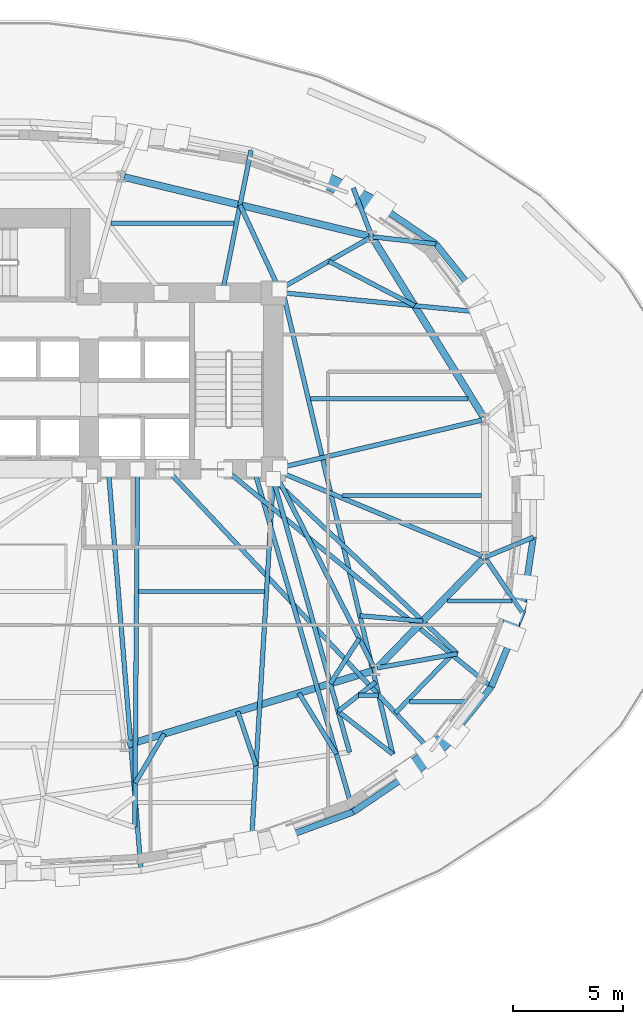
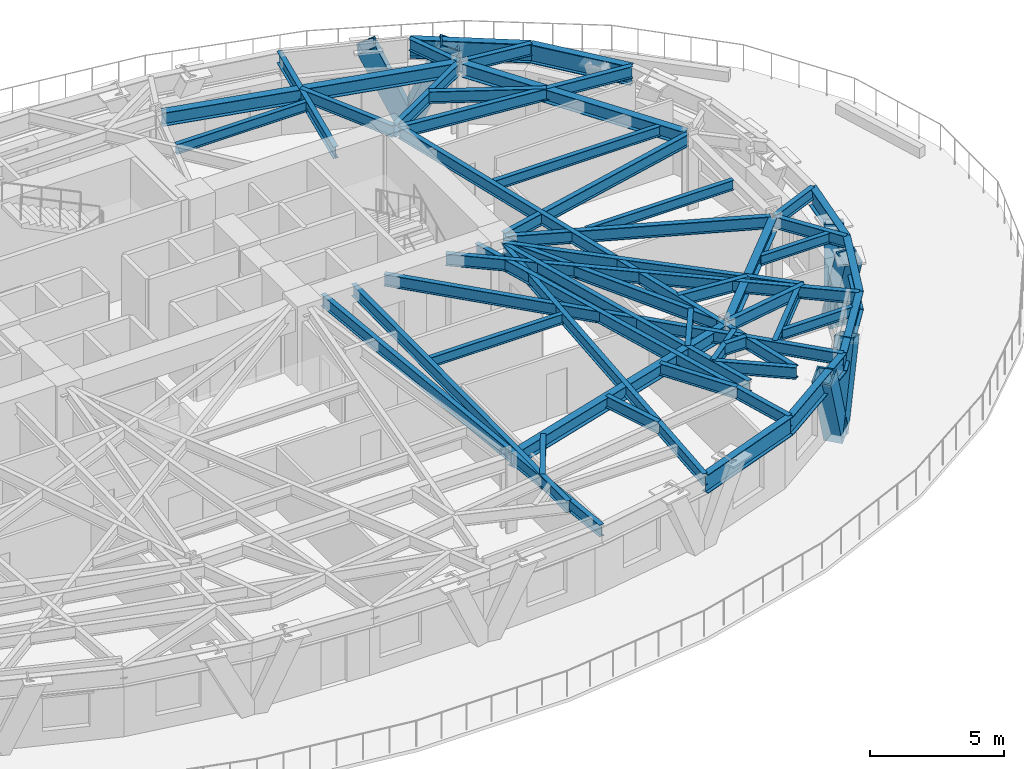
# One storey, part 3 of 14: 48 beams, 6 members.
"""IFC4 building model written with IfcOpenShell, lengths in metres."""

from ifc_helpers import new_model, si_unit, direction, frame, origin, origin_2d, place, context, subcontext, project, spatial, hollow_rectangle, i_section, extrude, material, material_profile, profile_set, type_object, element, save


model = new_model("IFC4")

# Units and contexts
model_context = context("Model", 3, precision=1e-05, world=origin(), true_north=direction((0.0, 1.0)))
body_context = subcontext(model_context, "Body", "Model", "MODEL_VIEW")
ifc_project = project(units=[si_unit("LENGTHUNIT", "METRE"), si_unit("AREAUNIT", "SQUARE_METRE"), si_unit("VOLUMEUNIT", "CUBIC_METRE"), si_unit("PLANEANGLEUNIT", "RADIAN"), si_unit("MASSUNIT", "GRAM", prefix="KILO")], contexts=[model_context])

# Site, building, storey
site_placement = place(None, origin())
site = spatial("IfcSite", under=ifc_project, at=site_placement, CompositionType="ELEMENT")
building_placement = place(site_placement, origin())
building = spatial("IfcBuilding", under=site, at=building_placement, Name="Keldmark Tower", CompositionType="ELEMENT")
storey_placement = place(building_placement, frame((0.0, 0.0, 27.0)))
storey = spatial("IfcBuildingStorey", under=building, at=storey_placement, Name="L06", CompositionType="ELEMENT", Elevation=27.0)

# Beams
ifc_material_1 = material(Name="Steel ASTM A992 Grade 50", Category="steel")
ifc_material_profile_1 = material_profile(ifc_material_1, i_section(OverallWidth=0.19091796875, OverallDepth=0.45703125, WebThickness=0.009033203125, FlangeThickness=0.014404296875, at=origin_2d()), Name="W18X50")
ifc_profile_set_1 = profile_set([ifc_material_profile_1], Name="Steel ASTM A992 Grade 50")
beam_type_1 = type_object("IfcBeamType", Name="Composite Floor Joist W18X50", PredefinedType="JOIST", material=ifc_profile_set_1)
beam_1_placement = place(storey_placement, frame((19.810791015625, -9.199951171875, 3.17138671875), z_axis=(1.0, 0.0, 0.0), x_axis=(0.0, 1.0, 0.0)))
element("IfcBeam", 1, at=beam_1_placement, inside=storey, type_object=beam_type_1, Name="L06 Composite Floor Joist J07", PredefinedType="JOIST", context=body_context, shape_type="SweptSolid", body=[
    extrude(i_section(OverallWidth=0.19091796875, OverallDepth=0.45703125, WebThickness=0.009033203125, FlangeThickness=0.014404296875, at=origin_2d()), origin(), (0.0, 0.0, 1.0), 3.014892578125),
])
beam_2_placement = place(storey_placement, frame((7.461181640625, -4.179931640625, 3.17138671875), z_axis=(1.0, 0.0, 0.0), x_axis=(0.0, 1.0, 0.0)))
element("IfcBeam", 2, at=beam_2_placement, inside=storey, type_object=beam_type_1, Name="L06 Composite Floor Joist J11", PredefinedType="JOIST", context=body_context, shape_type="SweptSolid", body=[
    extrude(i_section(OverallWidth=0.19091796875, OverallDepth=0.45703125, WebThickness=0.009033203125, FlangeThickness=0.014404296875, at=origin_2d()), origin(), (0.0, 0.0, 1.0), 5.734619140625),
])
beam_3_placement = place(storey_placement, frame((21.537109375, -4.60009765625, 3.17138671875), z_axis=(1.0, 0.0, 0.0), x_axis=(0.0, 1.0, 0.0)))
element("IfcBeam", 3, at=beam_3_placement, inside=storey, type_object=beam_type_1, Name="L06 Composite Floor Joist J12", PredefinedType="JOIST", context=body_context, shape_type="SweptSolid", body=[
    extrude(i_section(OverallWidth=0.19091796875, OverallDepth=0.45703125, WebThickness=0.009033203125, FlangeThickness=0.014404296875, at=origin_2d()), origin(), (0.0, 0.0, 1.0), 2.94189453125),
])
beam_4_placement = place(storey_placement, frame((16.75, 0.199951171875, 3.17138671875), z_axis=(1.0, 0.0, 0.0), x_axis=(0.0, 1.0, 0.0)))
element("IfcBeam", 4, at=beam_4_placement, inside=storey, type_object=beam_type_1, Name="L06 Composite Floor Joist J13", PredefinedType="JOIST", context=body_context, shape_type="SweptSolid", body=[
    extrude(i_section(OverallWidth=0.19091796875, OverallDepth=0.45703125, WebThickness=0.009033203125, FlangeThickness=0.014404296875, at=origin_2d()), origin(), (0.0, 0.0, 1.0), 6.35107421875),
])
beam_5_placement = place(storey_placement, frame((15.29638671875, 4.6201171875, 3.17138671875), z_axis=(1.0, 0.0, 0.0), x_axis=(0.0, 1.0, 0.0)))
element("IfcBeam", 5, at=beam_5_placement, inside=storey, type_object=beam_type_1, Name="L06 Composite Floor Joist J15", PredefinedType="JOIST", context=body_context, shape_type="SweptSolid", body=[
    extrude(i_section(OverallWidth=0.19091796875, OverallDepth=0.45703125, WebThickness=0.009033203125, FlangeThickness=0.014404296875, at=origin_2d()), origin(), (0.0, 0.0, 1.0), 7.193115234375),
])
beam_6_placement = place(storey_placement, frame((6.1875, 12.6201171875, 3.17138671875), z_axis=(1.0, 0.0, 0.0), x_axis=(0.0, 1.0, 0.0)))
element("IfcBeam", 6, at=beam_6_placement, inside=storey, type_object=beam_type_1, Name="L06 Composite Floor Joist J17", PredefinedType="JOIST", context=body_context, shape_type="SweptSolid", body=[
    extrude(i_section(OverallWidth=0.19091796875, OverallDepth=0.45703125, WebThickness=0.009033203125, FlangeThickness=0.014404296875, at=origin_2d()), origin(), (0.0, 0.0, 1.0), 5.63134765625),
])

# Members
ifc_material_2 = material(Name="Steel ASTM A572 Grade 50", Category="steel")
ifc_material_profile_2 = material_profile(ifc_material_2, hollow_rectangle(XDim=0.75, YDim=0.75, WallThickness=0.06494140625, at=origin_2d()), Name="BOX750X750X65")
ifc_profile_set_2 = profile_set([ifc_material_profile_2], Name="Steel ASTM A572 Grade 50")
member_type = type_object("IfcMemberType", Name="Diagrid Lower Brace BOX750X750X65", PredefinedType="BRACE", material=ifc_profile_set_2)
member_1_placement = place(storey_placement, frame((17.050048828125, 14.063720703125, -0.35009765625), z_axis=(0.355655807646, -0.182297490589, 0.916666008649), x_axis=(0.456138130633, 0.889908987359, 0.0)))
element("IfcMember", 7, at=member_1_placement, inside=storey, type_object=member_type, Name="L06 Perimeter Diagrid Brace 02B", PredefinedType="BRACE", context=body_context, shape_type="SweptSolid", body=[
    extrude(hollow_rectangle(XDim=0.75, YDim=0.75, WallThickness=0.06494140625, at=origin_2d()), origin(), (0.0, 0.0, 1.0), 3.960205078125),
])
member_2_placement = place(storey_placement, frame((17.058349609375, 14.055419921875, -0.35009765625), z_axis=(-0.354673875279, 0.176842962883, 0.918113832089), x_axis=(-0.44621618645, -0.894925200757, 0.0)))
element("IfcMember", 8, at=member_2_placement, inside=storey, type_object=member_type, Name="L06 Perimeter Diagrid Brace 03A", PredefinedType="BRACE", context=body_context, shape_type="SweptSolid", body=[
    extrude(hollow_rectangle(XDim=0.75, YDim=0.75, WallThickness=0.06494140625, at=origin_2d()), origin(), (0.0, 0.0, 1.0), 3.953857421875),
])
member_3_placement = place(storey_placement, frame((20.7939453125, -11.526611328125, -0.35009765625), z_axis=(-0.274361271263, -0.244967654328, 0.929901468524), x_axis=(0.66601914824, -0.74593464471, 0.0)))
element("IfcMember", 9, at=member_3_placement, inside=storey, type_object=member_type, Name="L06 Perimeter Diagrid Brace 14B", PredefinedType="BRACE", context=body_context, shape_type="SweptSolid", body=[
    extrude(hollow_rectangle(XDim=0.75, YDim=0.75, WallThickness=0.06494140625, at=origin_2d()), origin(), (0.0, 0.0, 1.0), 3.90380859375),
])
member_4_placement = place(storey_placement, frame((20.78564453125, -11.534912109375, -0.35009765625), z_axis=(0.264353610602, 0.24339109732, 0.933208413114), x_axis=(-0.677336484751, 0.735673355794, 0.0)))
element("IfcMember", 10, at=member_4_placement, inside=storey, type_object=member_type, Name="L06 Perimeter Diagrid Brace 15A", PredefinedType="BRACE", context=body_context, shape_type="SweptSolid", body=[
    extrude(hollow_rectangle(XDim=0.75, YDim=0.75, WallThickness=0.06494140625, at=origin_2d()), origin(), (0.0, 0.0, 1.0), 3.889892578125),
])
member_5_placement = place(storey_placement, frame((24.4736328125, -5.008056640625, -0.35009765625), z_axis=(-0.01160129594, -0.318653178034, 0.947800380914), x_axis=(0.999337913048, -0.03638317667, 0.0)))
element("IfcMember", 11, at=member_5_placement, inside=storey, type_object=member_type, Name="L06 Perimeter Diagrid Brace 15B", PredefinedType="BRACE", context=body_context, shape_type="SweptSolid", body=[
    extrude(hollow_rectangle(XDim=0.75, YDim=0.75, WallThickness=0.06494140625, at=origin_2d()), origin(), (0.0, 0.0, 1.0), 3.830078125),
])
member_6_placement = place(storey_placement, frame((24.468994140625, -5.018798828125, -0.35009765625), z_axis=(0.155048243769, 0.275449904671, 0.948729356625), x_axis=(-0.871429943821, 0.490519982276, 0.0)))
element("IfcMember", 12, at=member_6_placement, inside=storey, type_object=member_type, Name="L06 Perimeter Diagrid Brace 16A", PredefinedType="BRACE", context=body_context, shape_type="SweptSolid", body=[
    extrude(hollow_rectangle(XDim=0.75, YDim=0.75, WallThickness=0.06494140625, at=origin_2d()), origin(), (0.0, 0.0, 1.0), 3.826416015625),
])

# Beams
ifc_material_3 = material(Name="Steel ASTM A992 Grade 50", Category="steel")
ifc_material_profile_3 = material_profile(ifc_material_3, i_section(OverallWidth=0.323974609375, OverallDepth=0.611083984375, WebThickness=0.0126953125, FlangeThickness=0.01904296875, at=origin_2d()), Name="W24X104")
ifc_profile_set_3 = profile_set([ifc_material_profile_3], Name="Steel ASTM A992 Grade 50")
beam_type_2 = type_object("IfcBeamType", Name="Primary Floor Girder W24X104", PredefinedType="BEAM", material=ifc_profile_set_3)
beam_7_placement = place(storey_placement, frame((23.180419921875, 3.796142578125, 3.094482421875), z_axis=(-0.526318405849, 0.850287560573, 0.0), x_axis=(-0.850287560573, -0.526318405849, 0.0)))
element("IfcBeam", 13, at=beam_7_placement, inside=storey, type_object=beam_type_2, Name="L06 Floor Ring Girder FG-R01", PredefinedType="BEAM", context=body_context, shape_type="SweptSolid", body=[
    extrude(i_section(OverallWidth=0.323974609375, OverallDepth=0.611083984375, WebThickness=0.0126953125, FlangeThickness=0.01904296875, at=origin_2d()), origin(), (0.0, 0.0, 1.0), 9.51708984375),
])
beam_8_placement = place(storey_placement, frame((17.961669921875, 12.040283203125, 3.094482421875), z_axis=(-0.972218707757, 0.2340743136, 0.0), x_axis=(-0.2340743136, -0.972218707757, 0.0)))
element("IfcBeam", 14, at=beam_8_placement, inside=storey, type_object=beam_type_2, Name="L06 Floor Ring Girder FG-R02", PredefinedType="BEAM", context=body_context, shape_type="SweptSolid", body=[
    extrude(i_section(OverallWidth=0.323974609375, OverallDepth=0.611083984375, WebThickness=0.0126953125, FlangeThickness=0.01904296875, at=origin_2d()), origin(), (0.0, 0.0, 1.0), 11.479248046875),
])
beam_9_placement = place(storey_placement, frame((6.9560546875, -11.165283203125, 3.094482421875), z_axis=(0.957346071406, 0.2889437654, 0.0), x_axis=(-0.2889437654, 0.957346071406, 0.0)))
element("IfcBeam", 15, at=beam_9_placement, inside=storey, type_object=beam_type_2, Name="L06 Floor Ring Girder FG-R10", PredefinedType="BEAM", context=body_context, shape_type="SweptSolid", body=[
    extrude(i_section(OverallWidth=0.323974609375, OverallDepth=0.611083984375, WebThickness=0.0126953125, FlangeThickness=0.01904296875, at=origin_2d()), origin(), (0.0, 0.0, 1.0), 11.66015625),
])
beam_10_placement = place(storey_placement, frame((18.350341796875, -7.6552734375, 3.094482421875), z_axis=(0.697210382268, 0.716866572563, 0.0), x_axis=(-0.716866572563, 0.697210382268, 0.0)))
element("IfcBeam", 16, at=beam_10_placement, inside=storey, type_object=beam_type_2, Name="L06 Floor Ring Girder FG-R11", PredefinedType="BEAM", context=body_context, shape_type="SweptSolid", body=[
    extrude(i_section(OverallWidth=0.323974609375, OverallDepth=0.611083984375, WebThickness=0.0126953125, FlangeThickness=0.01904296875, at=origin_2d()), origin(), (0.0, 0.0, 1.0), 6.893310546875),
])
ifc_material_4 = material(Name="Steel ASTM A992 Grade 50", Category="steel")
ifc_material_profile_4 = material_profile(ifc_material_4, i_section(OverallWidth=0.2099609375, OverallDepth=0.537109375, WebThickness=0.010986328125, FlangeThickness=0.017333984375, at=origin_2d()), Name="W21X68")
ifc_profile_set_4 = profile_set([ifc_material_profile_4], Name="Steel ASTM A992 Grade 50")
beam_type_3 = type_object("IfcBeamType", Name="Radial Tie Girder W21X68", PredefinedType="BEAM", material=ifc_profile_set_4)
beam_11_placement = place(storey_placement, frame((17.522705078125, -6.319091796875, 3.131591796875), z_axis=(-0.539720655924, -0.841844174161, 0.0), x_axis=(0.841844174161, -0.539720655924, 0.0)))
element("IfcBeam", 17, at=beam_11_placement, inside=storey, type_object=beam_type_3, Name="L06 Framing Pin Header PH-003", PredefinedType="BEAM", context=body_context, shape_type="SweptSolid", body=[
    extrude(i_section(OverallWidth=0.2099609375, OverallDepth=0.537109375, WebThickness=0.010986328125, FlangeThickness=0.017333984375, at=origin_2d()), origin(), (0.0, 0.0, 1.0), 2.4404296875),
])
beam_12_placement = place(storey_placement, frame((13.60009765625, 0.949951171875, 3.131591796875), z_axis=(0.269145999523, -0.963099387883, 0.0), x_axis=(0.963099387883, 0.269145999523, 0.0)))
element("IfcBeam", 18, at=beam_12_placement, inside=storey, type_object=beam_type_3, Name="L06 Sub-Ring Step Girder STP1-M11", PredefinedType="BEAM", context=body_context, shape_type="SweptSolid", body=[
    extrude(i_section(OverallWidth=0.2099609375, OverallDepth=0.537109375, WebThickness=0.010986328125, FlangeThickness=0.017333984375, at=origin_2d()), origin(), (0.0, 0.0, 1.0), 12.931640625),
])
beam_13_placement = place(storey_placement, frame((16.132080078125, 10.8896484375, 3.131591796875), z_axis=(0.887985113306, -0.459872198059, 0.0), x_axis=(0.459872198059, 0.887985113306, 0.0)))
element("IfcBeam", 19, at=beam_13_placement, inside=storey, type_object=beam_type_3, Name="L06 Framing Pin Header PH-006", PredefinedType="BEAM", context=body_context, shape_type="SweptSolid", body=[
    extrude(i_section(OverallWidth=0.2099609375, OverallDepth=0.537109375, WebThickness=0.010986328125, FlangeThickness=0.017333984375, at=origin_2d()), origin(), (0.0, 0.0, 1.0), 4.40478515625),
])
beam_14_placement = place(storey_placement, frame((14.050048828125, 9.449951171875, 3.131591796875), z_axis=(0.995254165929, -0.097309532935, 0.0), x_axis=(0.097309532935, 0.995254165929, 0.0)))
element("IfcBeam", 20, at=beam_14_placement, inside=storey, type_object=beam_type_3, Name="L06 Perimeter Radial Tie Girder RT-03", PredefinedType="BEAM", context=body_context, shape_type="SweptSolid", body=[
    extrude(i_section(OverallWidth=0.2099609375, OverallDepth=0.537109375, WebThickness=0.010986328125, FlangeThickness=0.017333984375, at=origin_2d()), origin(), (0.0, 0.0, 1.0), 9.541259765625),
])
beam_15_placement = place(storey_placement, frame((18.09765625, 12.00732421875, 3.131591796875), z_axis=(0.993725660726, -0.111845032138, 0.0), x_axis=(0.111845032138, 0.993725660726, 0.0)))
element("IfcBeam", 21, at=beam_15_placement, inside=storey, type_object=beam_type_3, Name="L06 Perimeter Column Bracket RT-04", PredefinedType="BEAM", context=body_context, shape_type="SweptSolid", body=[
    extrude(i_section(OverallWidth=0.2099609375, OverallDepth=0.537109375, WebThickness=0.010986328125, FlangeThickness=0.017333984375, at=origin_2d()), origin(), (0.0, 0.0, 1.0), 2.938232421875),
])
beam_16_placement = place(storey_placement, frame((18.09765625, 12.00732421875, 3.131591796875), z_axis=(-0.356805751095, 0.934178599619, 0.0), x_axis=(-0.934178599619, -0.356805751095, 0.0)))
element("IfcBeam", 22, at=beam_16_placement, inside=storey, type_object=beam_type_3, Name="L06 Perimeter Column Bracket RT-05", PredefinedType="BEAM", context=body_context, shape_type="SweptSolid", body=[
    extrude(i_section(OverallWidth=0.2099609375, OverallDepth=0.537109375, WebThickness=0.010986328125, FlangeThickness=0.017333984375, at=origin_2d()), origin(), (0.0, 0.0, 1.0), 2.3798828125),
])
beam_17_placement = place(storey_placement, frame((13.878173828125, 9.608154296875, 3.131591796875), z_axis=(-0.422494952086, 0.906365277061, 0.0), x_axis=(-0.906365277061, -0.422494952086, 0.0)))
element("IfcBeam", 23, at=beam_17_placement, inside=storey, type_object=beam_type_3, Name="L06 Framing Pin Header PH-007", PredefinedType="BEAM", context=body_context, shape_type="SweptSolid", body=[
    extrude(i_section(OverallWidth=0.2099609375, OverallDepth=0.537109375, WebThickness=0.010986328125, FlangeThickness=0.017333984375, at=origin_2d()), origin(), (0.0, 0.0, 1.0), 4.244384765625),
])
beam_18_placement = place(storey_placement, frame((11.278564453125, 9.449951171875, 3.131591796875), z_axis=(0.197363641719, 0.980330348876, 0.0), x_axis=(-0.980330348876, 0.197363641719, 0.0)))
element("IfcBeam", 24, at=beam_18_placement, inside=storey, type_object=beam_type_3, Name="L06 Perimeter Radial Tie Girder RT-06", PredefinedType="BEAM", context=body_context, shape_type="SweptSolid", body=[
    extrude(i_section(OverallWidth=0.2099609375, OverallDepth=0.537109375, WebThickness=0.010986328125, FlangeThickness=0.017333984375, at=origin_2d()), origin(), (0.0, 0.0, 1.0), 6.623046875),
])
beam_19_placement = place(storey_placement, frame((8.630615234375, -10.659912109375, 3.131591796875), z_axis=(-0.508311407589, -0.861173335, 0.0), x_axis=(0.861173335, -0.508311407589, 0.0)))
element("IfcBeam", 25, at=beam_19_placement, inside=storey, type_object=beam_type_3, Name="L06 Framing Pin Header PH-019", PredefinedType="BEAM", context=body_context, shape_type="SweptSolid", body=[
    extrude(i_section(OverallWidth=0.2099609375, OverallDepth=0.537109375, WebThickness=0.010986328125, FlangeThickness=0.017333984375, at=origin_2d()), origin(), (0.0, 0.0, 1.0), 2.6181640625),
])
beam_20_placement = place(storey_placement, frame((7.406982421875, 1.39990234375, 3.131591796875), z_axis=(-0.007477209168, -0.999972045281, 0.0), x_axis=(0.999972045281, -0.007477209168, 0.0)))
element("IfcBeam", 26, at=beam_20_placement, inside=storey, type_object=beam_type_3, Name="L06 Intermediate Radial Step Girder RT-26M", PredefinedType="BEAM", context=body_context, shape_type="SweptSolid", body=[
    extrude(i_section(OverallWidth=0.2099609375, OverallDepth=0.537109375, WebThickness=0.010986328125, FlangeThickness=0.017333984375, at=origin_2d()), origin(), (0.0, 0.0, 1.0), 16.32568359375),
])
beam_21_placement = place(storey_placement, frame((6.07861328125, 1.39990234375, 3.131591796875), z_axis=(0.081182674788, -0.996699239146, 0.0), x_axis=(0.996699239146, 0.081182674788, 0.0)))
element("IfcBeam", 27, at=beam_21_placement, inside=storey, type_object=beam_type_3, Name="L06 Perimeter Radial Tie Girder RT-26", PredefinedType="BEAM", context=body_context, shape_type="SweptSolid", body=[
    extrude(i_section(OverallWidth=0.2099609375, OverallDepth=0.537109375, WebThickness=0.010986328125, FlangeThickness=0.017333984375, at=origin_2d()), origin(), (0.0, 0.0, 1.0), 18.353515625),
])
beam_22_placement = place(storey_placement, frame((11.979248046875, -9.649169921875, 3.131591796875), z_axis=(0.320549652964, -0.947231713988, 0.0), x_axis=(0.947231713988, 0.320549652964, 0.0)))
element("IfcBeam", 28, at=beam_22_placement, inside=storey, type_object=beam_type_3, Name="L06 Framing Pin Header PH-021", PredefinedType="BEAM", context=body_context, shape_type="SweptSolid", body=[
    extrude(i_section(OverallWidth=0.2099609375, OverallDepth=0.537109375, WebThickness=0.010986328125, FlangeThickness=0.017333984375, at=origin_2d()), origin(), (0.0, 0.0, 1.0), 2.60791015625),
])
beam_23_placement = place(storey_placement, frame((13.60009765625, 0.949951171875, 3.131591796875), z_axis=(-0.059942314959, -0.998201842754, 0.0), x_axis=(0.998201842754, -0.059942314959, 0.0)))
element("IfcBeam", 29, at=beam_23_placement, inside=storey, type_object=beam_type_3, Name="L06 Perimeter Radial Tie Girder RT-27", PredefinedType="BEAM", context=body_context, shape_type="SweptSolid", body=[
    extrude(i_section(OverallWidth=0.2099609375, OverallDepth=0.537109375, WebThickness=0.010986328125, FlangeThickness=0.017333984375, at=origin_2d()), origin(), (0.0, 0.0, 1.0), 16.923095703125),
])
beam_24_placement = place(storey_placement, frame((14.77001953125, -8.806884765625, 3.131591796875), z_axis=(0.524314101859, -0.851524939501, 0.0), x_axis=(0.851524939501, 0.524314101859, 0.0)))
element("IfcBeam", 30, at=beam_24_placement, inside=storey, type_object=beam_type_3, Name="L06 Framing Pin Header PH-022", PredefinedType="BEAM", context=body_context, shape_type="SweptSolid", body=[
    extrude(i_section(OverallWidth=0.2099609375, OverallDepth=0.537109375, WebThickness=0.010986328125, FlangeThickness=0.017333984375, at=origin_2d()), origin(), (0.0, 0.0, 1.0), 3.268798828125),
])
beam_25_placement = place(storey_placement, frame((12.721435546875, 1.39990234375, 3.131591796875), z_axis=(0.278200875312, -0.960522916424, 0.0), x_axis=(0.960522916424, 0.278200875312, 0.0)))
element("IfcBeam", 31, at=beam_25_placement, inside=storey, type_object=beam_type_3, Name="L06 Perimeter Radial Tie Girder RT-28", PredefinedType="BEAM", context=body_context, shape_type="SweptSolid", body=[
    extrude(i_section(OverallWidth=0.2099609375, OverallDepth=0.537109375, WebThickness=0.010986328125, FlangeThickness=0.017333984375, at=origin_2d()), origin(), (0.0, 0.0, 1.0), 16.272705078125),
])
beam_26_placement = place(storey_placement, frame((16.558349609375, -9.63623046875, 3.131591796875), z_axis=(0.788174569798, 0.615451742645, 0.0), x_axis=(-0.615451742645, 0.788174569798, 0.0)))
element("IfcBeam", 32, at=beam_26_placement, inside=storey, type_object=beam_type_3, Name="L06 Framing Pin Header PH-023", PredefinedType="BEAM", context=body_context, shape_type="SweptSolid", body=[
    extrude(i_section(OverallWidth=0.2099609375, OverallDepth=0.537109375, WebThickness=0.010986328125, FlangeThickness=0.017333984375, at=origin_2d()), origin(), (0.0, 0.0, 1.0), 2.168212890625),
])
beam_27_placement = place(storey_placement, frame((14.050048828125, 9.449951171875, 3.131591796875), z_axis=(0.231134675565, -0.972921765483, 0.0), x_axis=(0.972921765483, 0.231134675565, 0.0)))
element("IfcBeam", 33, at=beam_27_placement, inside=storey, type_object=beam_type_3, Name="L06 Intermediate Radial Step Girder RT-29M", PredefinedType="BEAM", context=body_context, shape_type="SweptSolid", body=[
    extrude(i_section(OverallWidth=0.2099609375, OverallDepth=0.537109375, WebThickness=0.010986328125, FlangeThickness=0.017333984375, at=origin_2d()), origin(), (0.0, 0.0, 1.0), 21.627197265625),
])
beam_28_placement = place(storey_placement, frame((16.558349609375, -9.63623046875, 3.131591796875), z_axis=(0.786545708121, -0.617532063165, 0.0), x_axis=(0.617532063165, 0.786545708121, 0.0)))
element("IfcBeam", 34, at=beam_28_placement, inside=storey, type_object=beam_type_3, Name="L06 Local Collector Chord RT-29C", PredefinedType="BEAM", context=body_context, shape_type="SweptSolid", body=[
    extrude(i_section(OverallWidth=0.2099609375, OverallDepth=0.537109375, WebThickness=0.010986328125, FlangeThickness=0.017333984375, at=origin_2d()), origin(), (0.0, 0.0, 1.0), 3.166259765625),
])
beam_29_placement = place(storey_placement, frame((17.498291015625, -8.902099609375, 3.131591796875), z_axis=(0.999999964139, 0.00026780931, 0.0), x_axis=(-0.00026780931, 0.999999964139, 0.0)))
element("IfcBeam", 35, at=beam_29_placement, inside=storey, type_object=beam_type_3, Name="L06 Framing Pin Header PH-024", PredefinedType="BEAM", context=body_context, shape_type="SweptSolid", body=[
    extrude(i_section(OverallWidth=0.2099609375, OverallDepth=0.537109375, WebThickness=0.010986328125, FlangeThickness=0.017333984375, at=origin_2d()), origin(), (0.0, 0.0, 1.0), 0.91162109375),
])
beam_30_placement = place(storey_placement, frame((8.735595703125, 1.39990234375, 3.131591796875), z_axis=(0.684550154281, -0.728965764816, 0.0), x_axis=(0.728965764816, 0.684550154281, 0.0)))
element("IfcBeam", 36, at=beam_30_placement, inside=storey, type_object=beam_type_3, Name="L06 Perimeter Radial Tie Girder RT-29", PredefinedType="BEAM", context=body_context, shape_type="SweptSolid", body=[
    extrude(i_section(OverallWidth=0.2099609375, OverallDepth=0.537109375, WebThickness=0.010986328125, FlangeThickness=0.017333984375, at=origin_2d()), origin(), (0.0, 0.0, 1.0), 17.94140625),
])
beam_31_placement = place(storey_placement, frame((17.54931640625, -5.279052734375, 3.131591796875), z_axis=(0.996420940176, -0.084529935397, 0.0), x_axis=(0.084529935397, 0.996420940176, 0.0)))
element("IfcBeam", 37, at=beam_31_placement, inside=storey, type_object=beam_type_3, Name="L06 Framing Pin Header PH-025", PredefinedType="BEAM", context=body_context, shape_type="SweptSolid", body=[
    extrude(i_section(OverallWidth=0.2099609375, OverallDepth=0.537109375, WebThickness=0.010986328125, FlangeThickness=0.017333984375, at=origin_2d()), origin(), (0.0, 0.0, 1.0), 2.88525390625),
])
beam_32_placement = place(storey_placement, frame((13.60009765625, 0.949951171875, 3.131591796875), z_axis=(0.725534474065, -0.688185822975, 0.0), x_axis=(0.688185822975, 0.725534474065, 0.0)))
element("IfcBeam", 38, at=beam_32_placement, inside=storey, type_object=beam_type_3, Name="L06 Intermediate Radial Step Girder RT-30M", PredefinedType="BEAM", context=body_context, shape_type="SweptSolid", body=[
    extrude(i_section(OverallWidth=0.2099609375, OverallDepth=0.537109375, WebThickness=0.010986328125, FlangeThickness=0.017333984375, at=origin_2d()), origin(), (0.0, 0.0, 1.0), 11.570068359375),
])
beam_33_placement = place(storey_placement, frame((18.350341796875, -7.6552734375, 3.131591796875), z_axis=(0.984796839337, 0.173710060828, 0.0), x_axis=(-0.173710060828, 0.984796839337, 0.0)))
element("IfcBeam", 39, at=beam_33_placement, inside=storey, type_object=beam_type_3, Name="L06 Local Collector Chord RT-30C", PredefinedType="BEAM", context=body_context, shape_type="SweptSolid", body=[
    extrude(i_section(OverallWidth=0.2099609375, OverallDepth=0.537109375, WebThickness=0.010986328125, FlangeThickness=0.017333984375, at=origin_2d()), origin(), (0.0, 0.0, 1.0), 3.700439453125),
])
beam_34_placement = place(storey_placement, frame((19.175048828125, -9.716796875, 3.131591796875), z_axis=(0.695442292239, 0.718581949512, 0.0), x_axis=(-0.718581949512, 0.695442292239, 0.0)))
element("IfcBeam", 40, at=beam_34_placement, inside=storey, type_object=beam_type_3, Name="L06 Framing Pin Header PH-026", PredefinedType="BEAM", context=body_context, shape_type="SweptSolid", body=[
    extrude(i_section(OverallWidth=0.2099609375, OverallDepth=0.537109375, WebThickness=0.010986328125, FlangeThickness=0.017333984375, at=origin_2d()), origin(), (0.0, 0.0, 1.0), 3.703369140625),
])
beam_35_placement = place(storey_placement, frame((11.392822265625, 1.39990234375, 3.131591796875), z_axis=(0.774651554333, -0.632388305845, 0.0), x_axis=(0.632388305845, 0.774651554333, 0.0)))
element("IfcBeam", 41, at=beam_35_placement, inside=storey, type_object=beam_type_3, Name="L06 Perimeter Radial Tie Girder RT-30", PredefinedType="BEAM", context=body_context, shape_type="SweptSolid", body=[
    extrude(i_section(OverallWidth=0.2099609375, OverallDepth=0.537109375, WebThickness=0.010986328125, FlangeThickness=0.017333984375, at=origin_2d()), origin(), (0.0, 0.0, 1.0), 15.688720703125),
])
beam_36_placement = place(storey_placement, frame((23.25390625, -2.61328125, 3.131591796875), z_axis=(0.55969146011, -0.828701073657, 0.0), x_axis=(0.828701073657, 0.55969146011, 0.0)))
element("IfcBeam", 42, at=beam_36_placement, inside=storey, type_object=beam_type_3, Name="L06 Perimeter Column Bracket RT-31", PredefinedType="BEAM", context=body_context, shape_type="SweptSolid", body=[
    extrude(i_section(OverallWidth=0.2099609375, OverallDepth=0.537109375, WebThickness=0.010986328125, FlangeThickness=0.017333984375, at=origin_2d()), origin(), (0.0, 0.0, 1.0), 3.0302734375),
])
beam_37_placement = place(storey_placement, frame((23.25390625, -2.61328125, 3.131591796875), z_axis=(0.923575268748, 0.383417165704, 0.0), x_axis=(-0.383417165704, 0.923575268748, 0.0)))
element("IfcBeam", 43, at=beam_37_placement, inside=storey, type_object=beam_type_3, Name="L06 Perimeter Column Bracket RT-32", PredefinedType="BEAM", context=body_context, shape_type="SweptSolid", body=[
    extrude(i_section(OverallWidth=0.2099609375, OverallDepth=0.537109375, WebThickness=0.010986328125, FlangeThickness=0.017333984375, at=origin_2d()), origin(), (0.0, 0.0, 1.0), 2.3876953125),
])
ifc_material_5 = material(Name="Steel ASTM A992 Grade 50", Category="steel")
ifc_material_profile_5 = material_profile(ifc_material_5, i_section(OverallWidth=0.214111328125, OverallDepth=0.549072265625, WebThickness=0.0146484375, FlangeThickness=0.023681640625, at=origin_2d()), Name="W21X93")
ifc_profile_set_5 = profile_set([ifc_material_profile_5], Name="Steel ASTM A992 Grade 50")
beam_type_4 = type_object("IfcBeamType", Name="Radial Tie Girder W21X93", PredefinedType="BEAM", material=ifc_profile_set_5)
beam_38_placement = place(storey_placement, frame((23.11767578125, 3.64501953125, 3.12548828125), z_axis=(-0.973287364179, -0.229590301909, 0.0), x_axis=(0.229590301909, -0.973287364179, 0.0)))
element("IfcBeam", 44, at=beam_38_placement, inside=storey, type_object=beam_type_4, Name="L06 Floor Radial Girder FG-C01", PredefinedType="BEAM", context=body_context, shape_type="SweptSolid", body=[
    extrude(i_section(OverallWidth=0.214111328125, OverallDepth=0.549072265625, WebThickness=0.0146484375, FlangeThickness=0.023681640625, at=origin_2d()), origin(), (0.0, 0.0, 1.0), 9.458740234375),
])
beam_39_placement = place(storey_placement, frame((17.97607421875, 11.938232421875, 3.12548828125), z_axis=(-0.869299282131, -0.494286109542, 0.0), x_axis=(0.494286109542, -0.869299282131, 0.0)))
element("IfcBeam", 45, at=beam_39_placement, inside=storey, type_object=beam_type_4, Name="L06 Floor Radial Girder FG-C02", PredefinedType="BEAM", context=body_context, shape_type="SweptSolid", body=[
    extrude(i_section(OverallWidth=0.214111328125, OverallDepth=0.549072265625, WebThickness=0.0146484375, FlangeThickness=0.023681640625, at=origin_2d()), origin(), (0.0, 0.0, 1.0), 4.714111328125),
])
beam_40_placement = place(storey_placement, frame((18.189453125, -7.630859375, 3.12548828125), z_axis=(-0.453037526986, 0.891491446478, 0.0), x_axis=(-0.891491446478, -0.453037526986, 0.0)))
element("IfcBeam", 46, at=beam_40_placement, inside=storey, type_object=beam_type_4, Name="L06 Floor Radial Girder FG-C11", PredefinedType="BEAM", context=body_context, shape_type="SweptSolid", body=[
    extrude(i_section(OverallWidth=0.214111328125, OverallDepth=0.549072265625, WebThickness=0.0146484375, FlangeThickness=0.023681640625, at=origin_2d()), origin(), (0.0, 0.0, 1.0), 9.81005859375),
])
beam_41_placement = place(storey_placement, frame((23.124755859375, -2.5595703125, 3.12548828125), z_axis=(-0.923390978102, 0.383860784088, 0.0), x_axis=(-0.383860784088, -0.923390978102, 0.0)))
element("IfcBeam", 47, at=beam_41_placement, inside=storey, type_object=beam_type_4, Name="L06 Floor Radial Girder FG-C12", PredefinedType="BEAM", context=body_context, shape_type="SweptSolid", body=[
    extrude(i_section(OverallWidth=0.214111328125, OverallDepth=0.549072265625, WebThickness=0.0146484375, FlangeThickness=0.023681640625, at=origin_2d()), origin(), (0.0, 0.0, 1.0), 9.994873046875),
])
ifc_material_6 = material(Name="Steel ASTM A992 Grade 50", Category="steel")
ifc_material_profile_6 = material_profile(ifc_material_6, i_section(OverallWidth=0.2919921875, OverallDepth=0.85888671875, WebThickness=0.01708984375, FlangeThickness=0.031005859375, at=origin_2d()), Name="W33X169")
ifc_profile_set_6 = profile_set([ifc_material_profile_6], Name="Steel ASTM A992 Grade 50")
beam_type_5 = type_object("IfcBeamType", Name="Spandrel Ring Beam W33X169", PredefinedType="SPANDREL", material=ifc_profile_set_6)
beam_42_placement = place(storey_placement, frame((23.546142578125, 8.521484375, 2.970458984375), z_axis=(-0.625151279322, 0.780503605348, 0.0), x_axis=(-0.780503605348, -0.625151279322, 0.0)))
element("IfcBeam", 48, at=beam_42_placement, inside=storey, type_object=beam_type_5, Name="L06 Perimeter Spandrel Ring Beam SRB-03", PredefinedType="SPANDREL", context=body_context, shape_type="SweptSolid", body=[
    extrude(i_section(OverallWidth=0.2919921875, OverallDepth=0.85888671875, WebThickness=0.01708984375, FlangeThickness=0.031005859375, at=origin_2d()), origin(), (0.0, 0.0, 1.0), 4.045166015625),
])
beam_43_placement = place(storey_placement, frame((21.017333984375, 11.6787109375, 2.970458984375), z_axis=(-0.828051238664, 0.560652429003, 0.0), x_axis=(-0.560652429003, -0.828051238664, 0.0)))
element("IfcBeam", 49, at=beam_43_placement, inside=storey, type_object=beam_type_5, Name="L06 Perimeter Spandrel Ring Beam SRB-04", PredefinedType="SPANDREL", context=body_context, shape_type="SweptSolid", body=[
    extrude(i_section(OverallWidth=0.2919921875, OverallDepth=0.85888671875, WebThickness=0.01708984375, FlangeThickness=0.031005859375, at=origin_2d()), origin(), (0.0, 0.0, 1.0), 4.551513671875),
])
beam_44_placement = place(storey_placement, frame((12.585693359375, -15.942626953125, 2.970458984375), z_axis=(0.938716826598, 0.344689308599, 0.0), x_axis=(-0.344689308599, 0.938716826598, 0.0)))
element("IfcBeam", 50, at=beam_44_placement, inside=storey, type_object=beam_type_5, Name="L06 Perimeter Spandrel Ring Beam SRB-27", PredefinedType="SPANDREL", context=body_context, shape_type="SweptSolid", body=[
    extrude(i_section(OverallWidth=0.2919921875, OverallDepth=0.85888671875, WebThickness=0.01708984375, FlangeThickness=0.031005859375, at=origin_2d()), origin(), (0.0, 0.0, 1.0), 4.96728515625),
])
beam_45_placement = place(storey_placement, frame((17.24853515625, -14.23046875, 2.970458984375), z_axis=(0.828051238664, 0.560652429003, 0.0), x_axis=(-0.560652429003, 0.828051238664, 0.0)))
element("IfcBeam", 51, at=beam_45_placement, inside=storey, type_object=beam_type_5, Name="L06 Perimeter Spandrel Ring Beam SRB-28", PredefinedType="SPANDREL", context=body_context, shape_type="SweptSolid", body=[
    extrude(i_section(OverallWidth=0.2919921875, OverallDepth=0.85888671875, WebThickness=0.01708984375, FlangeThickness=0.031005859375, at=origin_2d()), origin(), (0.0, 0.0, 1.0), 4.551513671875),
])
beam_46_placement = place(storey_placement, frame((21.017333984375, -11.6787109375, 2.970458984375), z_axis=(0.625151279322, 0.780503605348, 0.0), x_axis=(-0.780503605348, 0.625151279322, 0.0)))
element("IfcBeam", 52, at=beam_46_placement, inside=storey, type_object=beam_type_5, Name="L06 Perimeter Spandrel Ring Beam SRB-29", PredefinedType="SPANDREL", context=body_context, shape_type="SweptSolid", body=[
    extrude(i_section(OverallWidth=0.2919921875, OverallDepth=0.85888671875, WebThickness=0.01708984375, FlangeThickness=0.031005859375, at=origin_2d()), origin(), (0.0, 0.0, 1.0), 4.045166015625),
])
beam_47_placement = place(storey_placement, frame((23.546142578125, -8.521484375, 2.970458984375), z_axis=(0.381925438614, 0.92419313963, 0.0), x_axis=(-0.92419313963, 0.381925438614, 0.0)))
element("IfcBeam", 53, at=beam_47_placement, inside=storey, type_object=beam_type_5, Name="L06 Perimeter Spandrel Ring Beam SRB-30", PredefinedType="SPANDREL", context=body_context, shape_type="SweptSolid", body=[
    extrude(i_section(OverallWidth=0.2919921875, OverallDepth=0.85888671875, WebThickness=0.01708984375, FlangeThickness=0.031005859375, at=origin_2d()), origin(), (0.0, 0.0, 1.0), 3.675537109375),
])
beam_48_placement = place(storey_placement, frame((24.949951171875, -5.12451171875, 2.970458984375), z_axis=(0.147003256829, 0.989136008081, 0.0), x_axis=(-0.989136008081, 0.147003256829, 0.0)))
element("IfcBeam", 54, at=beam_48_placement, inside=storey, type_object=beam_type_5, Name="L06 Perimeter Spandrel Ring Beam SRB-31", PredefinedType="SPANDREL", context=body_context, shape_type="SweptSolid", body=[
    extrude(i_section(OverallWidth=0.2919921875, OverallDepth=0.85888671875, WebThickness=0.01708984375, FlangeThickness=0.031005859375, at=origin_2d()), origin(), (0.0, 0.0, 1.0), 3.46435546875),
])

save(model, "model.ifc")
